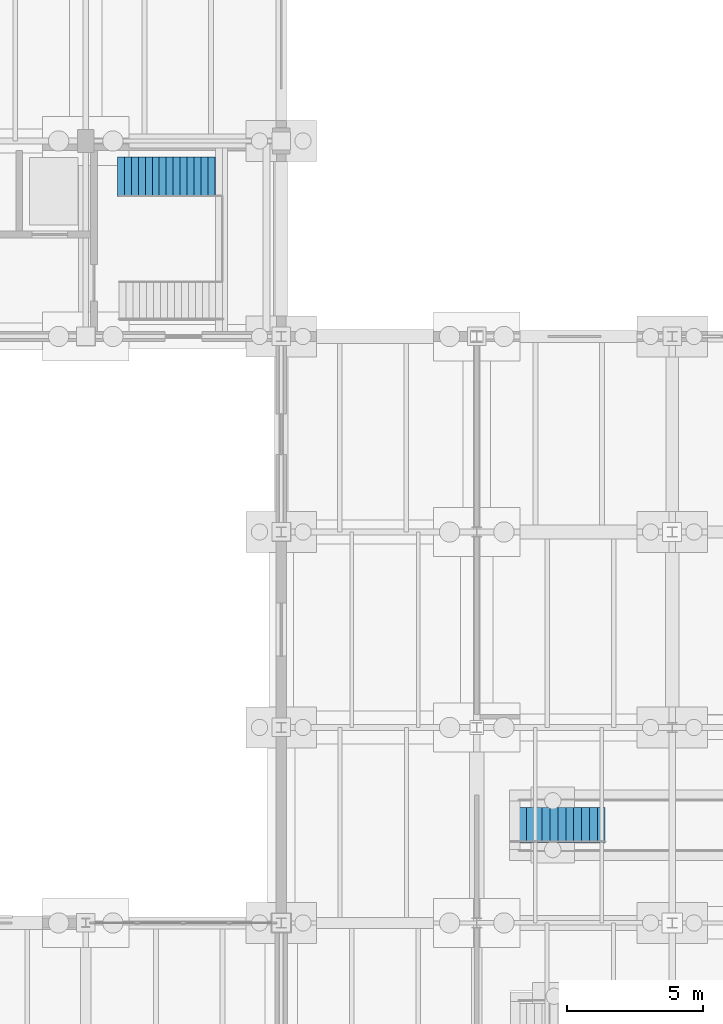
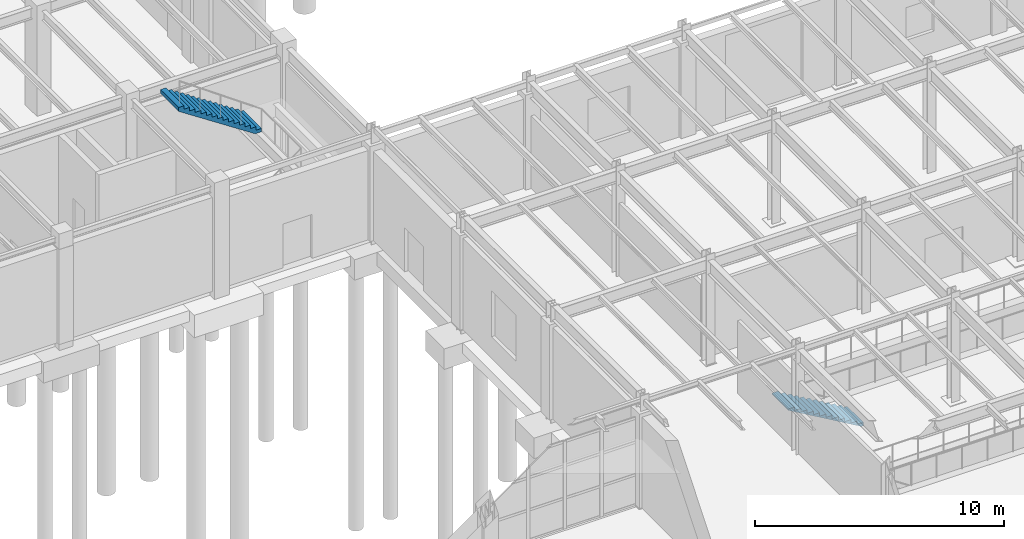
# One storey, part 278 of 293: 2 stair flights, 2 elements without a shape of their own.
"""IFC4 building model written with IfcOpenShell, lengths in metres."""

from ifc_helpers import new_model, si_unit, direction, frame, origin, place, context, subcontext, project, spatial, polyline, outline, extrude, material, layer, layer_set, type_object, element, aggregate, save


model = new_model("IFC4")

# Units and contexts
model_context = context("Model", 3, precision=1e-05, world=origin(), true_north=direction((0.0, 1.0)))
body_context = subcontext(model_context, "Body", "Model", "MODEL_VIEW")
ifc_project = project(units=[si_unit("LENGTHUNIT", "METRE"), si_unit("AREAUNIT", "SQUARE_METRE"), si_unit("VOLUMEUNIT", "CUBIC_METRE"), si_unit("PLANEANGLEUNIT", "RADIAN"), si_unit("MASSUNIT", "GRAM", prefix="KILO")], contexts=[model_context])

# Site, building, storey
site_placement = place(None, origin())
site = spatial("IfcSite", under=ifc_project, at=site_placement, CompositionType="ELEMENT")
building_placement = place(site_placement, origin())
building = spatial("IfcBuilding", under=site, at=building_placement, Name="Kemerveld Promenade Tramway Depot", CompositionType="ELEMENT")
storey_placement = place(building_placement, origin())
storey = spatial("IfcBuildingStorey", under=building, at=storey_placement, Name="L00", CompositionType="ELEMENT", Elevation=0.0)

# Stair, stair flight
ifc_material = material(Name="Concrete C40/50", Category="concrete")
stair_type_1 = type_object("IfcStairType", Name="STR-HT-L00", PredefinedType="HALF_TURN_STAIR", material=ifc_material)
stair_1_placement = place(storey_placement, origin())
stair_1 = element("IfcStair", 1, at=stair_1_placement, inside=storey, type_object=stair_type_1, Name="ST-06-L00", PredefinedType="HALF_TURN_STAIR")
ifc_layer_1 = layer(ifc_material, 0.159912109375)
ifc_layer_set_1 = layer_set([ifc_layer_1], Name="FLT-01")
stair_flight_type_1 = type_object("IfcStairFlightType", Name="FLT-01", PredefinedType="STRAIGHT", material=ifc_layer_set_1)
stair_flight_1_placement = place(storey_placement, frame((156.2099609375, 56.280029296875, 2.699951171875), z_axis=(0.0, 0.0, 1.0), x_axis=(-1.0, 0.0, 0.0)))
stair_flight_1 = element("IfcStairFlight", 2, at=stair_flight_1_placement, type_object=stair_flight_type_1, Name="ST-06-L00 flight 2", NumberOfRisers=16, NumberOfTreads=15, PredefinedType="STRAIGHT", RiserHeight=0.16875, TreadLength=0.256, context=body_context, shape_type="SweptSolid", body=[
    extrude(outline(polyline([(0.0, 0.0), (0.0, 0.168701171875), (0.256103515625, 0.168701171875), (0.256103515625, 0.33740234375), (0.511962890625, 0.33740234375), (0.511962890625, 0.50634765625), (0.76806640625, 0.50634765625), (0.76806640625, 0.675048828125), (1.02392578125, 0.675048828125), (1.02392578125, 0.84375), (1.280029296875, 0.84375), (1.280029296875, 1.012451171875), (1.535888671875, 1.012451171875), (1.535888671875, 1.18115234375), (1.7919921875, 1.18115234375), (1.7919921875, 1.35009765625), (2.048095703125, 1.35009765625), (2.048095703125, 1.518798828125), (2.303955078125, 1.518798828125), (2.303955078125, 1.6875), (2.56005859375, 1.6875), (2.56005859375, 1.856201171875), (2.81591796875, 1.856201171875), (2.81591796875, 2.02490234375), (3.072021484375, 2.02490234375), (3.072021484375, 2.19384765625), (3.327880859375, 2.19384765625), (3.327880859375, 2.362548828125), (3.583984375, 2.362548828125), (3.583984375, 2.53125), (3.840087890625, 2.53125), (3.840087890625, 2.699951171875), (3.840087890625, 2.339599609375), (0.29052734375, 0.0), (0.0, 0.0)])), frame((0.0, 0.72509765625, 0.0), z_axis=(0.0, -1.0, 0.0), x_axis=(1.0, 0.0, 0.0)), (0.0, 0.0, 1.0), 1.449951171875),
])
aggregate(stair_1, [stair_flight_1])

stair_type_2 = type_object("IfcStairType", Name="STR-PIT-220", PredefinedType="STRAIGHT_RUN_STAIR", material=ifc_material)
stair_2_placement = place(storey_placement, origin())
stair_2 = element("IfcStair", 3, at=stair_2_placement, inside=storey, type_object=stair_type_2, Name="ST-P11", PredefinedType="STRAIGHT_RUN_STAIR")
ifc_layer_2 = layer(ifc_material, 0.050048828125)
ifc_layer_set_2 = layer_set([ifc_layer_2], Name="FLT-05")
stair_flight_type_2 = type_object("IfcStairFlightType", Name="FLT-05", PredefinedType="STRAIGHT", material=ifc_layer_set_2)
stair_flight_2_placement = place(storey_placement, frame((170.330078125, 32.39990234375, -2.199951171875), z_axis=(0.0, 0.0, 1.0), x_axis=(-1.0, 0.0, 0.0)))
stair_flight_2 = element("IfcStairFlight", 4, at=stair_flight_2_placement, type_object=stair_flight_type_2, Name="ST-P11 flight 1", NumberOfRisers=13, NumberOfTreads=12, PredefinedType="STRAIGHT", RiserHeight=0.169230769, TreadLength=0.29, context=body_context, shape_type="SweptSolid", body=[
    extrude(outline(polyline([(0.0, 0.0), (0.0, 0.169189453125), (0.2900390625, 0.169189453125), (0.2900390625, 0.33837890625), (0.580078125, 0.33837890625), (0.580078125, 0.5078125), (0.8701171875, 0.5078125), (0.8701171875, 0.677001953125), (1.159912109375, 0.677001953125), (1.159912109375, 0.84619140625), (1.449951171875, 0.84619140625), (1.449951171875, 1.015380859375), (1.739990234375, 1.015380859375), (1.739990234375, 1.1845703125), (2.030029296875, 1.1845703125), (2.030029296875, 1.353759765625), (2.320068359375, 1.353759765625), (2.320068359375, 1.523193359375), (2.610107421875, 1.523193359375), (2.610107421875, 1.6923828125), (2.89990234375, 1.6923828125), (2.89990234375, 1.861572265625), (3.18994140625, 1.861572265625), (3.18994140625, 2.03076171875), (3.47998046875, 2.03076171875), (3.47998046875, 2.199951171875), (3.47998046875, 1.972900390625), (0.099365234375, 0.0), (0.0, 0.0)])), frame((0.0, 0.64990234375, 0.0), z_axis=(0.0, -1.0, 0.0), x_axis=(1.0, 0.0, 0.0)), (0.0, 0.0, 1.0), 1.300048828125),
])
aggregate(stair_2, [stair_flight_2])

save(model, "model.ifc")
